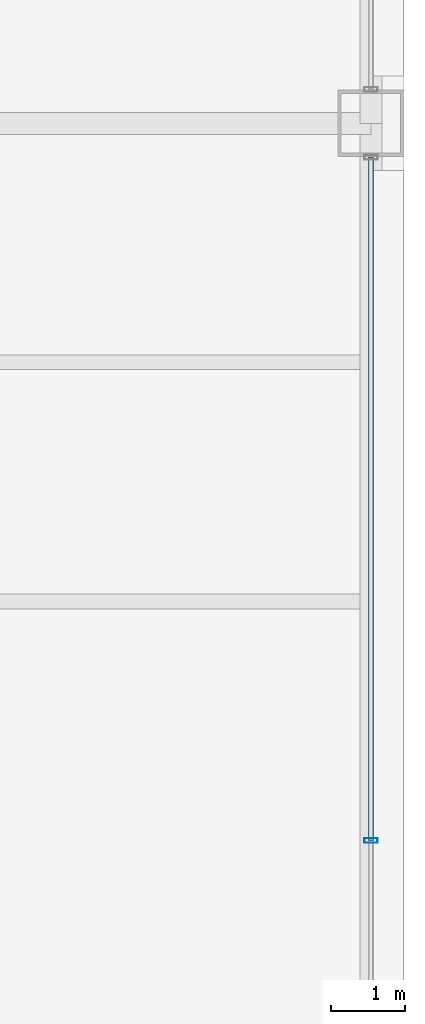
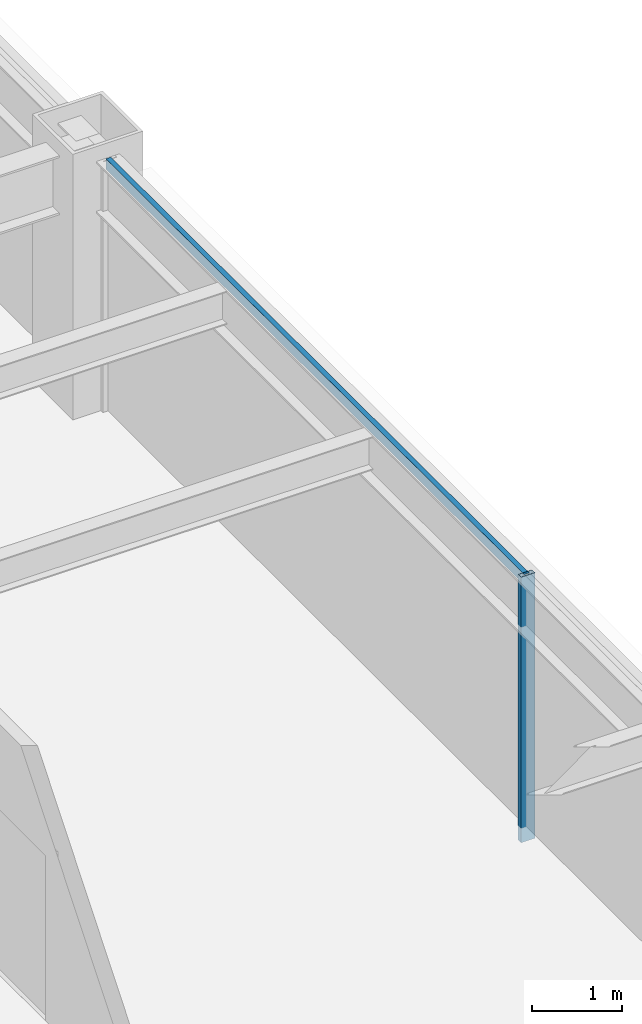
# One storey, part 14 of 30: 2 members, 1 element without a shape of its own.
"""IFC4 building model written with IfcOpenShell, lengths in metres."""

from ifc_helpers import new_model, si_unit, direction, frame, origin, origin_2d, place, context, subcontext, project, spatial, hollow_rectangle, extrude, material, layer, layer_set, material_profile, profile_set, type_object, element, aggregate, save


model = new_model("IFC4")

# Units and contexts
model_context = context("Model", 3, precision=1e-05, world=origin(), true_north=direction((0.0, 1.0)))
body_context = subcontext(model_context, "Body", "Model", "MODEL_VIEW")
ifc_project = project(units=[si_unit("LENGTHUNIT", "METRE"), si_unit("AREAUNIT", "SQUARE_METRE"), si_unit("VOLUMEUNIT", "CUBIC_METRE"), si_unit("PLANEANGLEUNIT", "RADIAN"), si_unit("MASSUNIT", "GRAM", prefix="KILO")], contexts=[model_context])

# Site, building, storey
site_placement = place(None, origin())
site = spatial("IfcSite", under=ifc_project, at=site_placement, CompositionType="ELEMENT")
building_placement = place(site_placement, origin())
building = spatial("IfcBuilding", under=site, at=building_placement, Name="Brelmoor Portico Tower", CompositionType="ELEMENT")
storey_placement = place(building_placement, frame((0.0, 0.0, 74.39990234375)))
storey = spatial("IfcBuildingStorey", under=building, at=storey_placement, Name="L19", CompositionType="ELEMENT", Elevation=74.39990234375)

# Curtain wall, members
ifc_material = material(Name="Anodised Aluminium Alloy 6063-T6", Category="aluminium")
ifc_layer = layer(ifc_material, 0.179931640625)
ifc_layer_set = layer_set([ifc_layer], Name="Anodised Aluminium Alloy 6063-T6")
curtain_wall_type = type_object("IfcCurtainWallType", Name="CW-TOWER-Z1-XB", PredefinedType="NOTDEFINED", material=ifc_layer_set)
curtain_wall_placement = place(storey_placement, origin())
curtain_wall = element("IfcCurtainWall", 1, at=curtain_wall_placement, inside=storey, type_object=curtain_wall_type, Name="L19 Curtain Wall CW-L19-04-2", PredefinedType="NOTDEFINED")
ifc_material_profile_1 = material_profile(ifc_material, hollow_rectangle(XDim=0.06494140625, YDim=0.179931640625, WallThickness=0.00390625, at=origin_2d()), Name="ALU MULLION 65x180")
ifc_profile_set_1 = profile_set([ifc_material_profile_1], Name="Anodised Aluminium Alloy 6063-T6")
member_type_1 = type_object("IfcMemberType", Name="MB-CW-MULL-180", PredefinedType="MULLION", material=ifc_profile_set_1)
member_1_placement = place(storey_placement, frame((24.550048828125, 0.0, -0.199951171875), z_axis=(0.0, 0.0, 1.0), x_axis=(0.0, 1.0, 0.0)))
member_1 = element("IfcMember", 2, at=member_1_placement, type_object=member_type_1, Name="CW-L19-04-2 Mullion 01", PredefinedType="MULLION", context=body_context, shape_type="SweptSolid", body=[
    extrude(hollow_rectangle(XDim=0.06494140625, YDim=0.179931640625, WallThickness=0.00390625, at=origin_2d()), origin(), (0.0, 0.0, 1.0), 3.60009765625),
])
ifc_material_profile_2 = material_profile(ifc_material, hollow_rectangle(XDim=0.06494140625, YDim=0.139892578125, WallThickness=0.00390625, at=origin_2d()), Name="ALU TRANSOM 65x140")
ifc_profile_set_2 = profile_set([ifc_material_profile_2], Name="Anodised Aluminium Alloy 6063-T6")
member_type_2 = type_object("IfcMemberType", Name="MB-CW-TRAN-140", PredefinedType="USERDEFINED", material=ifc_profile_set_2)
member_2_placement = place(storey_placement, frame((24.550048828125, 0.0, 3.330078125), z_axis=(0.0, 1.0, 0.0), x_axis=(-1.0, 0.0, 0.0)))
member_2 = element("IfcMember", 3, at=member_2_placement, type_object=member_type_2, Name="CW-L19-04-2 Transom 1-01", ObjectType="TRANSOM", PredefinedType="USERDEFINED", context=body_context, shape_type="SweptSolid", body=[
    extrude(hollow_rectangle(XDim=0.06494140625, YDim=0.139892578125, WallThickness=0.00390625, at=origin_2d()), origin(), (0.0, 0.0, 1.0), 9.2900390625),
])
aggregate(curtain_wall, [member_1, member_2])

save(model, "model.ifc")
